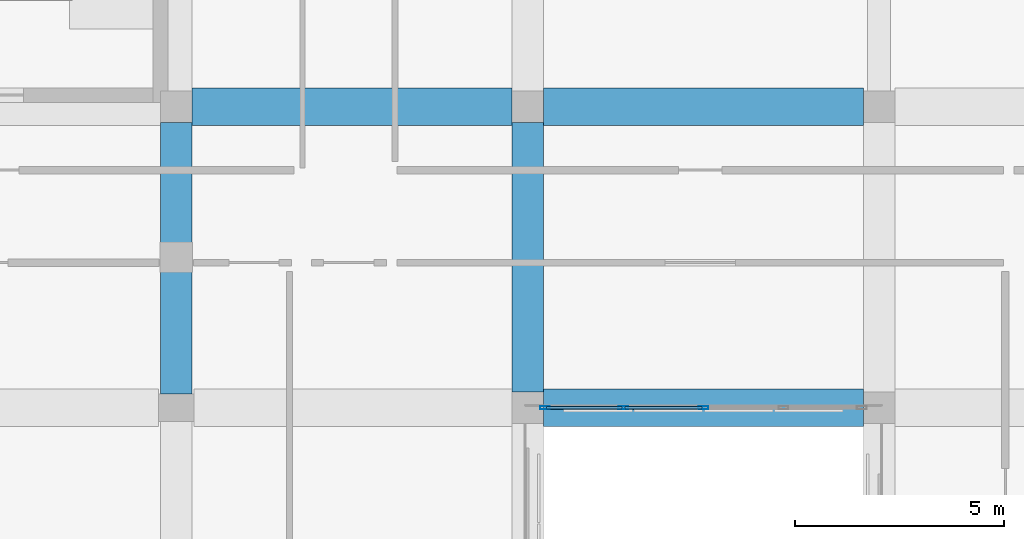
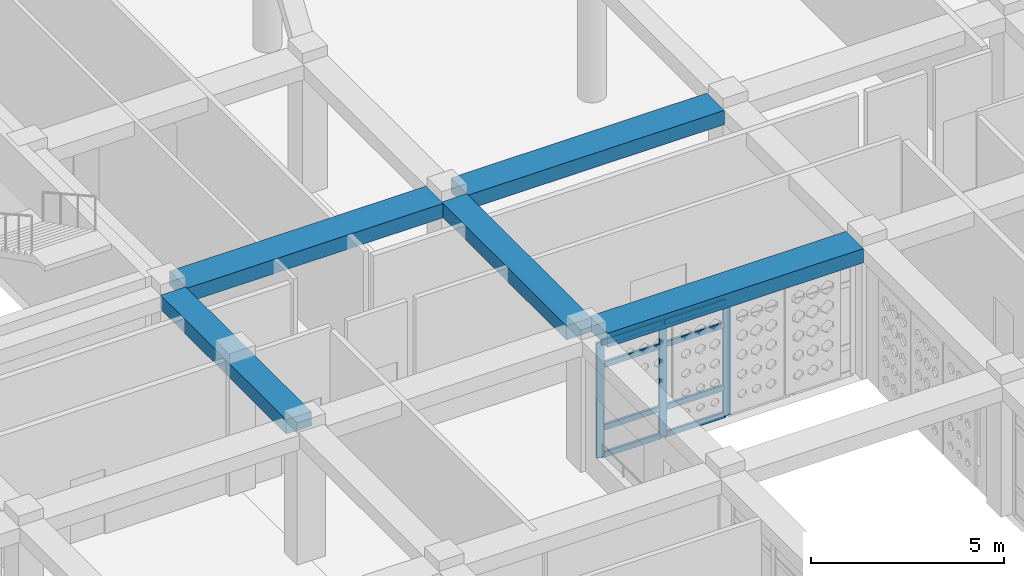
# One storey, part 12 of 111: 11 members, 5 beams, 1 element without a shape of its own.
"""IFC4 building model written with IfcOpenShell, lengths in metres."""

from ifc_helpers import new_model, si_unit, derived_unit, direction, frame, origin, origin_2d, place, context, subcontext, project, spatial, rectangle, hollow_rectangle, extrude, material, material_profile, profile_set, type_object, element, aggregate, save


model = new_model("IFC4")

# Units and contexts
model_context = context("Model", 3, precision=1e-05, world=origin(), true_north=direction((0.0, 1.0)))
body_context = subcontext(model_context, "Body", "Model", "MODEL_VIEW")
ifc_project = project(units=[si_unit("LENGTHUNIT", "METRE"), si_unit("AREAUNIT", "SQUARE_METRE"), si_unit("VOLUMEUNIT", "CUBIC_METRE"), si_unit("PLANEANGLEUNIT", "RADIAN"), si_unit("MASSUNIT", "GRAM", prefix="KILO"), derived_unit("THERMALTRANSMITTANCEUNIT", [(si_unit("POWERUNIT", "WATT"), 1), (si_unit("LENGTHUNIT", "METRE"), -2), (si_unit("THERMODYNAMICTEMPERATUREUNIT", "KELVIN"), -1)])], contexts=[model_context])

# Site, building, storey
site_placement = place(None, origin())
site = spatial("IfcSite", under=ifc_project, at=site_placement, CompositionType="ELEMENT")
building_placement = place(site_placement, origin())
building = spatial("IfcBuilding", under=site, at=building_placement, Name="Veybourne Emporium", CompositionType="ELEMENT")
storey_placement = place(building_placement, frame((0.0, 0.0, 9.89990234375)))
storey = spatial("IfcBuildingStorey", under=building, at=storey_placement, Name="L02", CompositionType="ELEMENT", Elevation=9.89990234375)

# Curtain wall, members
ifc_material_1 = material(Name="Patinated Architectural Bronze", Category="bronze")
curtain_wall_type = type_object("IfcCurtainWallType", Name="CWSystem_CWS-15", PredefinedType="NOTDEFINED", material=ifc_material_1)
curtain_wall_placement = place(storey_placement, origin())
curtain_wall = element("IfcCurtainWall", 1, at=curtain_wall_placement, inside=storey, type_object=curtain_wall_type, Name="L02 bronze glazed curtain wall CWS-15 (033)", PredefinedType="NOTDEFINED")
ifc_material_profile_1 = material_profile(ifc_material_1, hollow_rectangle(XDim=0.077880859375, YDim=0.235107421875, WallThickness=0.0048828125, InnerFilletRadius=0.007568359375, OuterFilletRadius=0.012451171875, at=origin_2d()), Name="CWM 78x235x5")
ifc_profile_set_1 = profile_set([ifc_material_profile_1], Name="Patinated Architectural Bronze")
member_type_1 = type_object("IfcMemberType", Name="CWMullion_CW-M3", PredefinedType="MULLION", material=ifc_profile_set_1)
member_1_placement = place(storey_placement, frame((63.0, 21.60009765625, 0.0), z_axis=(0.0, 0.0, 1.0), x_axis=(0.0, -1.0, 0.0)))
member_1 = element("IfcMember", 2, at=member_1_placement, type_object=member_type_1, Name="CWS-15 mullion 3", PredefinedType="MULLION", context=body_context, shape_type="SweptSolid", body=[
    extrude(hollow_rectangle(XDim=0.077880859375, YDim=0.235107421875, WallThickness=0.0048828125, InnerFilletRadius=0.007568359375, OuterFilletRadius=0.012451171875, at=origin_2d()), origin(), (0.0, 0.0, 1.0), 3.630126953125),
])
member_2_placement = place(storey_placement, frame((61.08740234375, 21.60009765625, 0.0), z_axis=(0.0, 0.0, 1.0), x_axis=(0.0, -1.0, 0.0)))
member_2 = element("IfcMember", 3, at=member_2_placement, type_object=member_type_1, Name="CWS-15 mullion 4", PredefinedType="MULLION", context=body_context, shape_type="SweptSolid", body=[
    extrude(hollow_rectangle(XDim=0.077880859375, YDim=0.235107421875, WallThickness=0.0048828125, InnerFilletRadius=0.007568359375, OuterFilletRadius=0.012451171875, at=origin_2d()), origin(), (0.0, 0.0, 1.0), 3.630126953125),
])
member_3_placement = place(storey_placement, frame((59.214111328125, 21.60009765625, 0.0), z_axis=(0.0, 0.0, 1.0), x_axis=(0.0, -1.0, 0.0)))
member_3 = element("IfcMember", 4, at=member_3_placement, type_object=member_type_1, Name="CWS-15 mullion 5", PredefinedType="MULLION", context=body_context, shape_type="SweptSolid", body=[
    extrude(hollow_rectangle(XDim=0.077880859375, YDim=0.235107421875, WallThickness=0.0048828125, InnerFilletRadius=0.007568359375, OuterFilletRadius=0.012451171875, at=origin_2d()), origin(), (0.0, 0.0, 1.0), 3.630126953125),
])
ifc_material_profile_2 = material_profile(ifc_material_1, hollow_rectangle(XDim=0.077880859375, YDim=0.18505859375, WallThickness=0.0048828125, InnerFilletRadius=0.007568359375, OuterFilletRadius=0.012451171875, at=origin_2d()), Name="CWT 78x185x5")
ifc_profile_set_2 = profile_set([ifc_material_profile_2], Name="Patinated Architectural Bronze")
member_type_2 = type_object("IfcMemberType", Name="CWTransom_CW-T3", PredefinedType="NOTDEFINED", material=ifc_profile_set_2)
member_4_placement = place(storey_placement, frame((62.9609375, 21.60009765625, 0.0390625), z_axis=(-1.0, 0.0, 0.0), x_axis=(0.0, -1.0, 0.0)))
member_4 = element("IfcMember", 5, at=member_4_placement, type_object=member_type_2, Name="CWS-15 transom 3.1", ObjectType="TRANSOM", PredefinedType="USERDEFINED", context=body_context, shape_type="SweptSolid", body=[
    extrude(hollow_rectangle(XDim=0.077880859375, YDim=0.18505859375, WallThickness=0.0048828125, InnerFilletRadius=0.007568359375, OuterFilletRadius=0.012451171875, at=origin_2d()), origin(), (0.0, 0.0, 1.0), 1.83447265625),
])
member_5_placement = place(storey_placement, frame((62.9609375, 21.60009765625, 0.900146484375), z_axis=(-1.0, 0.0, 0.0), x_axis=(0.0, -1.0, 0.0)))
member_5 = element("IfcMember", 6, at=member_5_placement, type_object=member_type_2, Name="CWS-15 transom 3.2", ObjectType="TRANSOM", PredefinedType="USERDEFINED", context=body_context, shape_type="SweptSolid", body=[
    extrude(hollow_rectangle(XDim=0.077880859375, YDim=0.18505859375, WallThickness=0.0048828125, InnerFilletRadius=0.007568359375, OuterFilletRadius=0.012451171875, at=origin_2d()), origin(), (0.0, 0.0, 1.0), 1.83447265625),
])
member_6_placement = place(storey_placement, frame((62.9609375, 21.60009765625, 2.880126953125), z_axis=(-1.0, 0.0, 0.0), x_axis=(0.0, -1.0, 0.0)))
member_6 = element("IfcMember", 7, at=member_6_placement, type_object=member_type_2, Name="CWS-15 transom 3.3", ObjectType="TRANSOM", PredefinedType="USERDEFINED", context=body_context, shape_type="SweptSolid", body=[
    extrude(hollow_rectangle(XDim=0.077880859375, YDim=0.18505859375, WallThickness=0.0048828125, InnerFilletRadius=0.007568359375, OuterFilletRadius=0.012451171875, at=origin_2d()), origin(), (0.0, 0.0, 1.0), 1.83447265625),
])
member_7_placement = place(storey_placement, frame((62.9609375, 21.60009765625, 3.591064453125), z_axis=(-1.0, 0.0, 0.0), x_axis=(0.0, -1.0, 0.0)))
member_7 = element("IfcMember", 8, at=member_7_placement, type_object=member_type_2, Name="CWS-15 transom 3.4", ObjectType="TRANSOM", PredefinedType="USERDEFINED", context=body_context, shape_type="SweptSolid", body=[
    extrude(hollow_rectangle(XDim=0.077880859375, YDim=0.18505859375, WallThickness=0.0048828125, InnerFilletRadius=0.007568359375, OuterFilletRadius=0.012451171875, at=origin_2d()), origin(), (0.0, 0.0, 1.0), 1.83447265625),
])
member_8_placement = place(storey_placement, frame((61.048583984375, 21.60009765625, 0.0390625), z_axis=(-1.0, 0.0, 0.0), x_axis=(0.0, -1.0, 0.0)))
member_8 = element("IfcMember", 9, at=member_8_placement, type_object=member_type_2, Name="CWS-15 transom 4.1", ObjectType="TRANSOM", PredefinedType="USERDEFINED", context=body_context, shape_type="SweptSolid", body=[
    extrude(hollow_rectangle(XDim=0.077880859375, YDim=0.18505859375, WallThickness=0.0048828125, InnerFilletRadius=0.007568359375, OuterFilletRadius=0.012451171875, at=origin_2d()), origin(), (0.0, 0.0, 1.0), 1.795654296875),
])
member_9_placement = place(storey_placement, frame((61.048583984375, 21.60009765625, 0.900146484375), z_axis=(-1.0, 0.0, 0.0), x_axis=(0.0, -1.0, 0.0)))
member_9 = element("IfcMember", 10, at=member_9_placement, type_object=member_type_2, Name="CWS-15 transom 4.2", ObjectType="TRANSOM", PredefinedType="USERDEFINED", context=body_context, shape_type="SweptSolid", body=[
    extrude(hollow_rectangle(XDim=0.077880859375, YDim=0.18505859375, WallThickness=0.0048828125, InnerFilletRadius=0.007568359375, OuterFilletRadius=0.012451171875, at=origin_2d()), origin(), (0.0, 0.0, 1.0), 1.795654296875),
])
member_10_placement = place(storey_placement, frame((61.048583984375, 21.60009765625, 2.880126953125), z_axis=(-1.0, 0.0, 0.0), x_axis=(0.0, -1.0, 0.0)))
member_10 = element("IfcMember", 11, at=member_10_placement, type_object=member_type_2, Name="CWS-15 transom 4.3", ObjectType="TRANSOM", PredefinedType="USERDEFINED", context=body_context, shape_type="SweptSolid", body=[
    extrude(hollow_rectangle(XDim=0.077880859375, YDim=0.18505859375, WallThickness=0.0048828125, InnerFilletRadius=0.007568359375, OuterFilletRadius=0.012451171875, at=origin_2d()), origin(), (0.0, 0.0, 1.0), 1.795654296875),
])
member_11_placement = place(storey_placement, frame((61.048583984375, 21.60009765625, 3.591064453125), z_axis=(-1.0, 0.0, 0.0), x_axis=(0.0, -1.0, 0.0)))
member_11 = element("IfcMember", 12, at=member_11_placement, type_object=member_type_2, Name="CWS-15 transom 4.4", ObjectType="TRANSOM", PredefinedType="USERDEFINED", context=body_context, shape_type="SweptSolid", body=[
    extrude(hollow_rectangle(XDim=0.077880859375, YDim=0.18505859375, WallThickness=0.0048828125, InnerFilletRadius=0.007568359375, OuterFilletRadius=0.012451171875, at=origin_2d()), origin(), (0.0, 0.0, 1.0), 1.795654296875),
])
aggregate(curtain_wall, [member_1, member_2, member_3, member_4, member_5, member_6, member_7, member_8, member_9, member_10, member_11])

# Beams
ifc_material_2 = material(Name="Concrete C32/40", Category="concrete")
ifc_material_profile_3 = material_profile(ifc_material_2, rectangle(XDim=0.89990234375, YDim=0.449951171875, at=origin_2d()), Name="RC 900x450")
ifc_profile_set_3 = profile_set([ifc_material_profile_3], Name="Concrete C32/40")
beam_type_1 = type_object("IfcBeamType", Name="RCBeam_BB-03", PredefinedType="BEAM", material=ifc_profile_set_3)
beam_1_placement = place(storey_placement, frame((50.77490234375, 28.800048828125, 3.955078125), z_axis=(1.0, 0.0, 0.0), x_axis=(0.0, 1.0, 0.0)))
element("IfcBeam", 13, at=beam_1_placement, inside=storey, type_object=beam_type_1, Name="L02 X-grid beam BB-03 (6,4)", PredefinedType="BEAM", context=body_context, shape_type="SweptSolid", body=[
    extrude(rectangle(XDim=0.89990234375, YDim=0.449951171875, at=origin_2d()), origin(), (0.0, 0.0, 1.0), 7.650146484375),
])
for number, where, z_axis, x_axis, name in (
    (14, (59.175048828125, 21.60009765625, 3.955078125), (1.0, 0.0, 0.0), (0.0, 1.0, 0.0), "L02 X-grid beam BB-03 (7,3)"),
    (15, (59.175048828125, 28.800048828125, 3.955078125), (1.0, 0.0, 0.0), (0.0, 1.0, 0.0), "L02 X-grid beam BB-03 (7,4)"),
):
    element("IfcBeam", number, at=place(storey_placement, frame(where, z_axis=z_axis, x_axis=x_axis)), inside=storey, type_object=beam_type_1, Name=name, PredefinedType="BEAM", context=body_context, shape_type="SweptSolid", body=[
        extrude(rectangle(XDim=0.89990234375, YDim=0.449951171875, at=origin_2d()), origin(), (0.0, 0.0, 1.0), 7.64990234375),
    ])
ifc_material_profile_4 = material_profile(ifc_material_2, rectangle(XDim=0.75, YDim=0.449951171875, at=origin_2d()), Name="RC 750x450")
ifc_profile_set_4 = profile_set([ifc_material_profile_4], Name="Concrete C32/40")
beam_type_2 = type_object("IfcBeamType", Name="RCBeam_BB-04", PredefinedType="BEAM", material=ifc_profile_set_4)
beam_2_placement = place(storey_placement, frame((50.39990234375, 21.925048828125, 3.955078125), z_axis=(0.0, 1.0, 0.0), x_axis=(-1.0, 0.0, 0.0)))
element("IfcBeam", 16, at=beam_2_placement, inside=storey, type_object=beam_type_2, Name="L02 Y-grid beam BB-04 (6,3)", PredefinedType="BEAM", context=body_context, shape_type="SweptSolid", body=[
    extrude(rectangle(XDim=0.75, YDim=0.449951171875, at=origin_2d()), origin(), (0.0, 0.0, 1.0), 6.5),
])
beam_3_placement = place(storey_placement, frame((58.800048828125, 21.97509765625, 3.955078125), z_axis=(0.0, 1.0, 0.0), x_axis=(-1.0, 0.0, 0.0)))
element("IfcBeam", 17, at=beam_3_placement, inside=storey, type_object=beam_type_2, Name="L02 Y-grid beam BB-04 (7,3)", PredefinedType="BEAM", context=body_context, shape_type="SweptSolid", body=[
    extrude(rectangle(XDim=0.75, YDim=0.449951171875, at=origin_2d()), origin(), (0.0, 0.0, 1.0), 6.449951171875),
])

save(model, "model.ifc")
